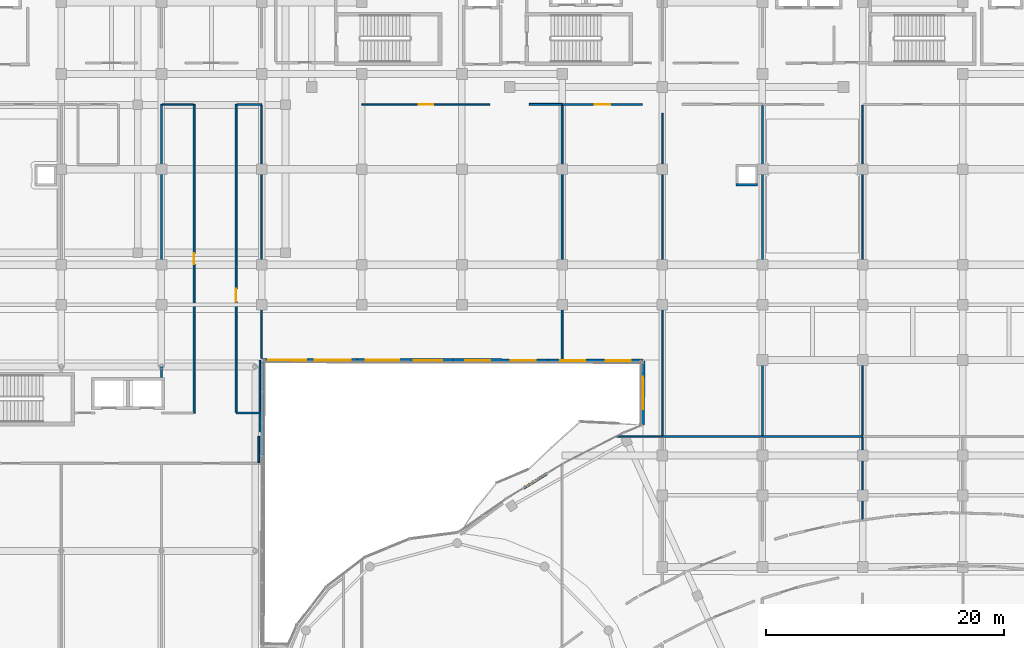
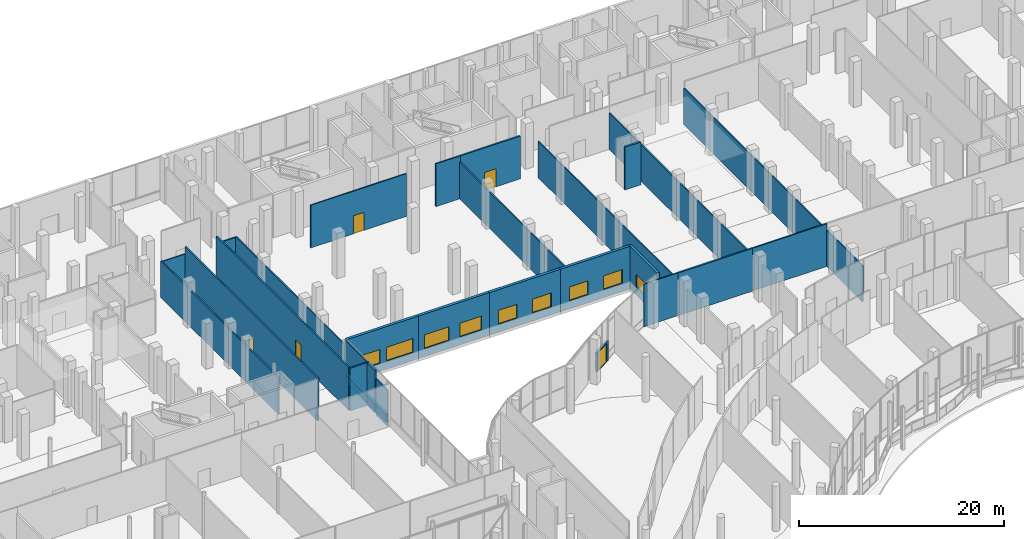
# One storey, part 140 of 158: 29 walls, 9 windows, 5 doors, 14 openings.
"""IFC4 building model written with IfcOpenShell, lengths in metres."""

import ifcopenshell
import ifcopenshell.guid

model = None  # the IFC model being written
_history = None  # IfcOwnerHistory: only IFC2X3 demands one
_inside = {}  # id of a spatial element -> (the spatial element, [elements in it])
_under = {}  # id of a project, library or spatial element -> (it, [spatial elements below it])
_declared = {}  # id of a project -> (the project, [libraries it declares])
_typed = {}  # id of a type object -> (the type object, [elements of that type])
_made_of = {}  # id of a material, layer set ... -> (it, [elements and type objects made of it])


def new_model(schema):
    """Start an empty IFC model of exactly this schema.

    Asked for "IFC4X3", IfcOpenShell would pick the latest addendum, in which some entities
    have other attributes; the version numbers below select the first issue.
    IFC2X3 requires an IfcOwnerHistory on every rooted entity: one is made here for all.
    """
    global model, _history
    if schema == "IFC4X3":
        model = ifcopenshell.file(schema_version=(4, 3, 0, 0))
    else:
        model = ifcopenshell.file(schema=schema)
    _inside.clear()
    _under.clear()
    _declared.clear()
    _typed.clear()
    _made_of.clear()
    _history = None
    if model.schema == "IFC2X3":
        org = make("IfcOrganization", Name="unknown")
        user = make(
            "IfcPersonAndOrganization",
            ThePerson=make("IfcPerson", FamilyName="unknown"),
            TheOrganization=org,
        )
        app = make(
            "IfcApplication",
            ApplicationDeveloper=org,
            Version="unknown",
            ApplicationFullName="unknown",
            ApplicationIdentifier="unknown",
        )
        _history = make(
            "IfcOwnerHistory",
            OwningUser=user,
            OwningApplication=app,
            ChangeAction="ADDED",
            CreationDate=0,
        )
    return model


def make(cls, **values):
    """One entity of the class cls with the attributes given. An attribute that is None is left unset."""
    return model.create_entity(
        cls, **{name: value for name, value in values.items() if value is not None}
    )


def rooted(cls, **values):
    """An entity with a GlobalId (a new one), such as an element, a storey or a relation."""
    return make(cls, GlobalId=ifcopenshell.guid.new(), OwnerHistory=_history, **values)


def si_unit(unit_type, name, prefix=None):
    """IfcSIUnit, for example si_unit("LENGTHUNIT", "METRE", prefix="MILLI")."""
    return make("IfcSIUnit", UnitType=unit_type, Prefix=prefix, Name=name)


def assignment(units):
    """IfcUnitAssignment: the units of a project."""
    return None if units is None else make("IfcUnitAssignment", Units=units)


def point(xyz):
    """IfcCartesianPoint."""
    return None if xyz is None else make("IfcCartesianPoint", Coordinates=xyz)


def direction(xyz):
    """IfcDirection."""
    return None if xyz is None else make("IfcDirection", DirectionRatios=xyz)


def frame(location, z_axis=None, x_axis=None):
    """IfcAxis2Placement3D, a coordinate frame: its origin and axes. An axis left out is left unset."""
    return make(
        "IfcAxis2Placement3D",
        Location=point(location),
        Axis=direction(z_axis),
        RefDirection=direction(x_axis),
    )


def frame_2d(location, x_axis=None):
    """IfcAxis2Placement2D, a coordinate frame in the plane: its origin and x axis."""
    return make(
        "IfcAxis2Placement2D", Location=point(location), RefDirection=direction(x_axis)
    )


def origin():
    """The frame at (0, 0, 0) with its axes left unset."""
    return frame((0.0, 0.0, 0.0))


def place(relative_to, where):
    """IfcLocalPlacement: puts the frame where relative to a parent placement (None: the world)."""
    return make(
        "IfcLocalPlacement", PlacementRelTo=relative_to, RelativePlacement=where
    )


def context(
    kind, dimensions, precision=None, world=None, true_north=None, identifier=None
):
    """IfcGeometricRepresentationContext, for example the 3D "Model" context."""
    return make(
        "IfcGeometricRepresentationContext",
        ContextIdentifier=identifier,
        ContextType=kind,
        CoordinateSpaceDimension=dimensions,
        Precision=precision,
        WorldCoordinateSystem=world,
        TrueNorth=true_north,
    )


def subcontext(parent, identifier, kind, view, scale=None):
    """IfcGeometricRepresentationSubContext, for example "Body" below "Model"."""
    return make(
        "IfcGeometricRepresentationSubContext",
        ContextIdentifier=identifier,
        ContextType=kind,
        ParentContext=parent,
        TargetScale=scale,
        TargetView=view,
    )


def project(units=None, contexts=None):
    """IfcProject with its units and contexts."""
    return rooted(
        "IfcProject",
        Name="project",
        RepresentationContexts=contexts,
        UnitsInContext=assignment(units),
    )


def spatial(cls, under=None, at=None, **own):
    """A site, building, storey or space (cls), placed at a placement, below another one or the project."""
    s = rooted(cls, ObjectPlacement=at, **own)
    if under is not None:
        _under.setdefault(under.id(), (under, []))[1].append(s)
    return s


def profile(cls, at=None, kind="AREA", **sizes):
    """A parametric profile (cls). Its sizes go by their IFC names, for example OverallWidth=200.0."""
    return make(cls, ProfileType=kind, Position=at, **sizes)


def rectangle(**sizes):
    """IfcRectangleProfileDef."""
    return profile("IfcRectangleProfileDef", **sizes)


def extrude(swept, where, along, depth):
    """IfcExtrudedAreaSolid: the profile swept, set in the frame where, extruded along a direction by depth."""
    return make(
        "IfcExtrudedAreaSolid",
        SweptArea=swept,
        Position=where,
        ExtrudedDirection=direction(along),
        Depth=depth,
    )


def shape(context_of_items, identifier, shape_type, items):
    """IfcShapeRepresentation: the items that make up one representation, for example the "Body"."""
    return make(
        "IfcShapeRepresentation",
        ContextOfItems=context_of_items,
        RepresentationIdentifier=identifier,
        RepresentationType=shape_type,
        Items=items,
    )


def material(Name=None, Category=None):
    """IfcMaterial."""
    return make("IfcMaterial", Name=Name, Category=Category)


def layer(
    of_material, thickness, ventilated=None, Name=None, Category=None, Priority=None
):
    """IfcMaterialLayer: one layer of a wall or slab, of a material (None: an air gap)."""
    return make(
        "IfcMaterialLayer",
        Material=of_material,
        LayerThickness=thickness,
        IsVentilated=ventilated,
        Name=Name,
        Category=Category,
        Priority=Priority,
    )


def layer_set(layers, Name=None):
    """IfcMaterialLayerSet."""
    return make("IfcMaterialLayerSet", MaterialLayers=layers, LayerSetName=Name)


def made_of(thing, what):
    """Note that an element or type object is made of a material, layer set ...; save() writes the relation."""
    if what is not None:
        _made_of.setdefault(what.id(), (what, []))[1].append(thing)
    return thing


def type_object(cls, material=None, **own):
    """A type object (cls), such as IfcWallType, which elements share."""
    return made_of(rooted(cls, **own), material)


def element(
    cls,
    number,
    at=None,
    inside=None,
    cuts=None,
    type_object=None,
    material=None,
    context=None,
    identifier="Body",
    shape_type=None,
    held_by="IfcProductDefinitionShape",
    body=None,
    shapes=None,
    **own,
):
    """One element of the class cls, such as IfcWall. Its Tag is "e" and its number.

    at: its placement. inside: the storey or other place that contains it. cuts: it is an
    opening in that element (IfcRelVoidsElement). A single representation is given by context,
    identifier, shape_type and body (its items); several are given by shapes. held_by: the class
    of the entity that holds the representations. save() writes the other relations.
    """
    e = rooted(cls, Tag="e%d" % number, ObjectPlacement=at, **own)
    if body is not None:
        shapes = [shape(context, identifier, shape_type, body)]
    if shapes is not None:
        e.Representation = make(held_by, Representations=shapes)
    if inside is not None:
        _inside.setdefault(inside.id(), (inside, []))[1].append(e)
    if cuts is not None:
        rooted(
            "IfcRelVoidsElement", RelatingBuildingElement=cuts, RelatedOpeningElement=e
        )
    if type_object is not None:
        _typed.setdefault(type_object.id(), (type_object, []))[1].append(e)
    return made_of(e, material)


def fill(opening, filler):
    """IfcRelFillsElement: the door or window that sits in an opening."""
    return rooted(
        "IfcRelFillsElement",
        RelatingOpeningElement=opening,
        RelatedBuildingElement=filler,
    )


def aggregate(whole, parts):
    """IfcRelAggregates: a whole, such as a stair, and the parts it consists of."""
    return rooted("IfcRelAggregates", RelatingObject=whole, RelatedObjects=parts)


def save(model, path):
    """Write the relations noted so far, then the file.

    IfcRelAggregates (storeys below a building ...), IfcRelContainedInSpatialStructure (elements
    in a storey), IfcRelDefinesByType, IfcRelAssociatesMaterial and IfcRelDeclares: one each for
    every whole, place, type object, material and project.
    """
    for whole, parts in _under.values():
        aggregate(whole, parts)
    for where, things in _inside.values():
        rooted(
            "IfcRelContainedInSpatialStructure",
            RelatedElements=things,
            RelatingStructure=where,
        )
    for kind, things in _typed.values():
        rooted("IfcRelDefinesByType", RelatedObjects=things, RelatingType=kind)
    for what, things in _made_of.values():
        rooted("IfcRelAssociatesMaterial", RelatedObjects=things, RelatingMaterial=what)
    for by, libraries in _declared.values():
        rooted("IfcRelDeclares", RelatingContext=by, RelatedDefinitions=libraries)
    model.write(path)


model = new_model("IFC4")

# Units and contexts
model_context = context("Model", 3, precision=1e-05, world=origin(), true_north=direction((0.0, 1.0)))
body_context = subcontext(model_context, "Body", "Model", "MODEL_VIEW")
ifc_project = project(units=[si_unit("LENGTHUNIT", "METRE"), si_unit("AREAUNIT", "SQUARE_METRE"), si_unit("VOLUMEUNIT", "CUBIC_METRE"), si_unit("PLANEANGLEUNIT", "RADIAN"), si_unit("MASSUNIT", "GRAM", prefix="KILO")], contexts=[model_context])

# Site, building, storey
site_placement = place(None, origin())
site = spatial("IfcSite", under=ifc_project, at=site_placement, CompositionType="ELEMENT")
building_placement = place(site_placement, origin())
building = spatial("IfcBuilding", under=site, at=building_placement, Name="Selatvlak General Hospital", CompositionType="ELEMENT")
storey_placement = place(building_placement, origin())
storey = spatial("IfcBuildingStorey", under=building, at=storey_placement, Name="L00", CompositionType="ELEMENT", Elevation=0.0)

# Wall, opening, window
ifc_material_1 = material(Name="Precast concrete C40/50 - white fair-faced", Category="concrete")
ifc_layer_1 = layer(ifc_material_1, 0.300048828125, Name="Precast concrete C40/50 - white fair-faced", Category="concrete")
ifc_layer_set_1 = layer_set([ifc_layer_1], Name="Precast concrete C40/50 - white fair-faced")
wall_type_1 = type_object("IfcWallType", Name="WALL-EW-01", PredefinedType="SOLIDWALL", material=ifc_layer_set_1)
wall_1_placement = place(storey_placement, frame((113.56298828125, 78.552001953125, 0.0), z_axis=(0.0, 0.0, 1.0), x_axis=(0.006887325881, 0.99997628209, 0.0)))
wall_1 = element("IfcWall", 1, at=wall_1_placement, inside=storey, type_object=wall_type_1, Name="L00 exterior wall 0190", PredefinedType="SOLIDWALL", context=body_context, shape_type="SweptSolid", body=[
    extrude(rectangle(XDim=5.38818359375, YDim=0.300048828125, at=frame_2d((2.694091796875, 0.0))), origin(), (0.0, 0.0, 1.0), 5.080078125),
])
opening_1_placement = place(wall_1_placement, frame((1.343994140625, 0.0, 0.9599609375)))
opening_1 = element("IfcOpeningElement", 2, at=opening_1_placement, cuts=wall_1, Name="Opening WN-08", PredefinedType="OPENING", context=body_context, shape_type="SweptSolid", body=[
    extrude(rectangle(XDim=2.699951171875, YDim=1.5, at=frame_2d((1.35009765625, 0.75))), frame((0.0, 0.159912109375, 0.0), z_axis=(0.0, -1.0, 0.0), x_axis=(1.0, 0.0, 0.0)), (0.0, 0.0, 1.0), 0.320068359375),
])
ifc_material_2 = material(Name="Thermally broken aluminium Low-E window", Category="aluminium")
window_type_1 = type_object("IfcWindowType", Name="WIN-WN-08", PartitioningType="SINGLE_PANEL", PredefinedType="WINDOW", material=ifc_material_2)
window_1_placement = place(opening_1_placement, origin())
window_1 = element("IfcWindow", 3, at=window_1_placement, inside=storey, type_object=window_type_1, Name="L00 clinical facade window 0007", OverallHeight=1.5, OverallWidth=2.699951171875, PartitioningType="SINGLE_PANEL", PredefinedType="WINDOW", context=body_context, shape_type="SweptSolid", body=[
    extrude(rectangle(XDim=2.699951171875, YDim=1.5, at=frame_2d((1.35009765625, 0.75))), frame((0.0, 0.030029296875, 0.0), z_axis=(0.0, -1.0, 0.0), x_axis=(1.0, 0.0, 0.0)), (0.0, 0.0, 1.0), 0.06005859375),
])
fill(opening_1, window_1)

# Wall, openings, windows
wall_2_placement = place(storey_placement, frame((113.60009765625, 83.93994140625, 0.0), z_axis=(0.0, 0.0, 1.0), x_axis=(-0.99999820332, 0.001895615269, 0.0)))
wall_2 = element("IfcWall", 4, at=wall_2_placement, inside=storey, type_object=wall_type_1, Name="L00 exterior wall 0191", PredefinedType="SOLIDWALL", context=body_context, shape_type="SweptSolid", body=[
    extrude(rectangle(XDim=7.985107421875, YDim=0.300048828125, at=frame_2d((3.99267578125, 0.0))), origin(), (0.0, 0.0, 1.0), 5.080078125),
])
opening_2_placement = place(wall_2_placement, frame((1.02587890625, 0.0, 0.9599609375)))
opening_2 = element("IfcOpeningElement", 5, at=opening_2_placement, cuts=wall_2, Name="Opening WN-12", PredefinedType="OPENING", context=body_context, shape_type="SweptSolid", body=[
    extrude(rectangle(XDim=2.10009765625, YDim=1.64990234375, at=frame_2d((1.050048828125, 0.824951171875))), frame((0.0, 0.159912109375, 0.0), z_axis=(0.0, -1.0, 0.0), x_axis=(1.0, 0.0, 0.0)), (0.0, 0.0, 1.0), 0.320068359375),
])
opening_3_placement = place(wall_2_placement, frame((4.85888671875, 0.0, 0.9599609375)))
opening_3 = element("IfcOpeningElement", 6, at=opening_3_placement, cuts=wall_2, Name="Opening WN-12", PredefinedType="OPENING", context=body_context, shape_type="SweptSolid", body=[
    extrude(rectangle(XDim=2.10009765625, YDim=1.64990234375, at=frame_2d((1.050048828125, 0.824951171875))), frame((0.0, 0.159912109375, 0.0), z_axis=(0.0, -1.0, 0.0), x_axis=(1.0, 0.0, 0.0)), (0.0, 0.0, 1.0), 0.320068359375),
])
window_type_2 = type_object("IfcWindowType", Name="WIN-WN-12", PartitioningType="SINGLE_PANEL", PredefinedType="WINDOW", material=ifc_material_2)
window_2_placement = place(opening_2_placement, origin())
window_2 = element("IfcWindow", 7, at=window_2_placement, inside=storey, type_object=window_type_2, Name="L00 Bauhaus ribbon window 0008", OverallHeight=1.64990234375, OverallWidth=2.10009765625, PartitioningType="SINGLE_PANEL", PredefinedType="WINDOW", context=body_context, shape_type="SweptSolid", body=[
    extrude(rectangle(XDim=2.10009765625, YDim=1.64990234375, at=frame_2d((1.050048828125, 0.824951171875))), frame((0.0, 0.030029296875, 0.0), z_axis=(0.0, -1.0, 0.0), x_axis=(1.0, 0.0, 0.0)), (0.0, 0.0, 1.0), 0.06005859375),
])
fill(opening_2, window_2)
window_3_placement = place(opening_3_placement, origin())
window_3 = element("IfcWindow", 8, at=window_3_placement, inside=storey, type_object=window_type_2, Name="L00 Bauhaus ribbon window 0009", OverallHeight=1.64990234375, OverallWidth=2.10009765625, PartitioningType="SINGLE_PANEL", PredefinedType="WINDOW", context=body_context, shape_type="SweptSolid", body=[
    extrude(rectangle(XDim=2.10009765625, YDim=1.64990234375, at=frame_2d((1.050048828125, 0.824951171875))), frame((0.0, 0.030029296875, 0.0), z_axis=(0.0, -1.0, 0.0), x_axis=(1.0, 0.0, 0.0)), (0.0, 0.0, 1.0), 0.06005859375),
])
fill(opening_3, window_3)

wall_3_placement = place(storey_placement, frame((105.614990234375, 83.955078125, 0.0), z_axis=(0.0, 0.0, 1.0), x_axis=(-0.99999826081, 0.001865040936, 0.0)))
wall_3 = element("IfcWall", 9, at=wall_3_placement, inside=storey, type_object=wall_type_1, Name="L00 exterior wall 0192", PredefinedType="SOLIDWALL", context=body_context, shape_type="SweptSolid", body=[
    extrude(rectangle(XDim=7.985107421875, YDim=0.300048828125, at=frame_2d((3.99267578125, 0.0))), origin(), (0.0, 0.0, 1.0), 5.080078125),
])
opening_4_placement = place(wall_3_placement, frame((1.02587890625, 0.0, 0.9599609375)))
opening_4 = element("IfcOpeningElement", 10, at=opening_4_placement, cuts=wall_3, Name="Opening WN-12", PredefinedType="OPENING", context=body_context, shape_type="SweptSolid", body=[
    extrude(rectangle(XDim=2.10009765625, YDim=1.64990234375, at=frame_2d((1.050048828125, 0.824951171875))), frame((0.0, 0.159912109375, 0.0), z_axis=(0.0, -1.0, 0.0), x_axis=(1.0, 0.0, 0.0)), (0.0, 0.0, 1.0), 0.320068359375),
])
opening_5_placement = place(wall_3_placement, frame((4.85888671875, 0.0, 0.9599609375)))
opening_5 = element("IfcOpeningElement", 11, at=opening_5_placement, cuts=wall_3, Name="Opening WN-12", PredefinedType="OPENING", context=body_context, shape_type="SweptSolid", body=[
    extrude(rectangle(XDim=2.10009765625, YDim=1.64990234375, at=frame_2d((1.050048828125, 0.824951171875))), frame((0.0, 0.159912109375, 0.0), z_axis=(0.0, -1.0, 0.0), x_axis=(1.0, 0.0, 0.0)), (0.0, 0.0, 1.0), 0.320068359375),
])
window_4_placement = place(opening_4_placement, origin())
window_4 = element("IfcWindow", 12, at=window_4_placement, inside=storey, type_object=window_type_2, Name="L00 Bauhaus ribbon window 0010", OverallHeight=1.64990234375, OverallWidth=2.10009765625, PartitioningType="SINGLE_PANEL", PredefinedType="WINDOW", context=body_context, shape_type="SweptSolid", body=[
    extrude(rectangle(XDim=2.10009765625, YDim=1.64990234375, at=frame_2d((1.050048828125, 0.824951171875))), frame((0.0, 0.030029296875, 0.0), z_axis=(0.0, -1.0, 0.0), x_axis=(1.0, 0.0, 0.0)), (0.0, 0.0, 1.0), 0.06005859375),
])
fill(opening_4, window_4)
window_5_placement = place(opening_5_placement, origin())
window_5 = element("IfcWindow", 13, at=window_5_placement, inside=storey, type_object=window_type_2, Name="L00 Bauhaus ribbon window 0011", OverallHeight=1.64990234375, OverallWidth=2.10009765625, PartitioningType="SINGLE_PANEL", PredefinedType="WINDOW", context=body_context, shape_type="SweptSolid", body=[
    extrude(rectangle(XDim=2.10009765625, YDim=1.64990234375, at=frame_2d((1.050048828125, 0.824951171875))), frame((0.0, 0.030029296875, 0.0), z_axis=(0.0, -1.0, 0.0), x_axis=(1.0, 0.0, 0.0)), (0.0, 0.0, 1.0), 0.06005859375),
])
fill(opening_5, window_5)

wall_4_placement = place(storey_placement, frame((97.6298828125, 83.969970703125, 0.0), z_axis=(0.0, 0.0, 1.0), x_axis=(-0.99999820321, 0.001895673228, 0.0)))
wall_4 = element("IfcWall", 14, at=wall_4_placement, inside=storey, type_object=wall_type_1, Name="L00 exterior wall 0193", PredefinedType="SOLIDWALL", context=body_context, shape_type="SweptSolid", body=[
    extrude(rectangle(XDim=7.98486328125, YDim=0.300048828125, at=frame_2d((3.992431640625, 0.0))), origin(), (0.0, 0.0, 1.0), 5.080078125),
])
opening_6_placement = place(wall_4_placement, frame((0.8759765625, 0.0, 0.9599609375)))
opening_6 = element("IfcOpeningElement", 15, at=opening_6_placement, cuts=wall_4, Name="Opening WN-13", PredefinedType="OPENING", context=body_context, shape_type="SweptSolid", body=[
    extrude(rectangle(XDim=2.39990234375, YDim=1.64990234375, at=frame_2d((1.199951171875, 0.824951171875))), frame((0.0, 0.159912109375, 0.0), z_axis=(0.0, -1.0, 0.0), x_axis=(1.0, 0.0, 0.0)), (0.0, 0.0, 1.0), 0.320068359375),
])
opening_7_placement = place(wall_4_placement, frame((4.509033203125, 0.0, 0.9599609375)))
opening_7 = element("IfcOpeningElement", 16, at=opening_7_placement, cuts=wall_4, Name="Opening WN-14", PredefinedType="OPENING", context=body_context, shape_type="SweptSolid", body=[
    extrude(rectangle(XDim=2.800048828125, YDim=1.64990234375, at=frame_2d((1.39990234375, 0.824951171875))), frame((0.0, 0.159912109375, 0.0), z_axis=(0.0, -1.0, 0.0), x_axis=(1.0, 0.0, 0.0)), (0.0, 0.0, 1.0), 0.320068359375),
])
window_type_3 = type_object("IfcWindowType", Name="WIN-WN-13", PartitioningType="SINGLE_PANEL", PredefinedType="WINDOW", material=ifc_material_2)
window_6_placement = place(opening_6_placement, origin())
window_6 = element("IfcWindow", 17, at=window_6_placement, inside=storey, type_object=window_type_3, Name="L00 Bauhaus ribbon window 0012", OverallHeight=1.64990234375, OverallWidth=2.39990234375, PartitioningType="SINGLE_PANEL", PredefinedType="WINDOW", context=body_context, shape_type="SweptSolid", body=[
    extrude(rectangle(XDim=2.39990234375, YDim=1.64990234375, at=frame_2d((1.199951171875, 0.824951171875))), frame((0.0, 0.030029296875, 0.0), z_axis=(0.0, -1.0, 0.0), x_axis=(1.0, 0.0, 0.0)), (0.0, 0.0, 1.0), 0.06005859375),
])
fill(opening_6, window_6)
window_type_4 = type_object("IfcWindowType", Name="WIN-WN-14", PartitioningType="SINGLE_PANEL", PredefinedType="WINDOW", material=ifc_material_2)
window_7_placement = place(opening_7_placement, origin())
window_7 = element("IfcWindow", 18, at=window_7_placement, inside=storey, type_object=window_type_4, Name="L00 Bauhaus ribbon window 0013", OverallHeight=1.64990234375, OverallWidth=2.800048828125, PartitioningType="SINGLE_PANEL", PredefinedType="WINDOW", context=body_context, shape_type="SweptSolid", body=[
    extrude(rectangle(XDim=2.800048828125, YDim=1.64990234375, at=frame_2d((1.39990234375, 0.824951171875))), frame((0.0, 0.030029296875, 0.0), z_axis=(0.0, -1.0, 0.0), x_axis=(1.0, 0.0, 0.0)), (0.0, 0.0, 1.0), 0.06005859375),
])
fill(opening_7, window_7)

wall_5_placement = place(storey_placement, frame((89.64501953125, 83.985107421875, 0.0), z_axis=(0.0, 0.0, 1.0), x_axis=(-0.99999826081, 0.001865040936, 0.0)))
wall_5 = element("IfcWall", 19, at=wall_5_placement, inside=storey, type_object=wall_type_1, Name="L00 exterior wall 0194", PredefinedType="SOLIDWALL", context=body_context, shape_type="SweptSolid", body=[
    extrude(rectangle(XDim=7.985107421875, YDim=0.300048828125, at=frame_2d((3.99267578125, 0.0))), origin(), (0.0, 0.0, 1.0), 5.080078125),
])
opening_8_placement = place(wall_5_placement, frame((0.575927734375, 0.0, 0.9599609375)))
opening_8 = element("IfcOpeningElement", 20, at=opening_8_placement, cuts=wall_5, Name="Opening WN-15", PredefinedType="OPENING", context=body_context, shape_type="SweptSolid", body=[
    extrude(rectangle(XDim=3.0, YDim=1.64990234375, at=frame_2d((1.5, 0.824951171875))), frame((0.0, 0.159912109375, 0.0), z_axis=(0.0, -1.0, 0.0), x_axis=(1.0, 0.0, 0.0)), (0.0, 0.0, 1.0), 0.320068359375),
])
opening_9_placement = place(wall_5_placement, frame((4.30908203125, 0.0, 0.9599609375)))
opening_9 = element("IfcOpeningElement", 21, at=opening_9_placement, cuts=wall_5, Name="Opening WN-16", PredefinedType="OPENING", context=body_context, shape_type="SweptSolid", body=[
    extrude(rectangle(XDim=3.199951171875, YDim=1.64990234375, at=frame_2d((1.60009765625, 0.824951171875))), frame((0.0, 0.159912109375, 0.0), z_axis=(0.0, -1.0, 0.0), x_axis=(1.0, 0.0, 0.0)), (0.0, 0.0, 1.0), 0.320068359375),
])
window_type_5 = type_object("IfcWindowType", Name="WIN-WN-15", PartitioningType="SINGLE_PANEL", PredefinedType="WINDOW", material=ifc_material_2)
window_8_placement = place(opening_8_placement, origin())
window_8 = element("IfcWindow", 22, at=window_8_placement, inside=storey, type_object=window_type_5, Name="L00 Bauhaus ribbon window 0014", OverallHeight=1.64990234375, OverallWidth=3.0, PartitioningType="SINGLE_PANEL", PredefinedType="WINDOW", context=body_context, shape_type="SweptSolid", body=[
    extrude(rectangle(XDim=3.0, YDim=1.64990234375, at=frame_2d((1.5, 0.824951171875))), frame((0.0, 0.030029296875, 0.0), z_axis=(0.0, -1.0, 0.0), x_axis=(1.0, 0.0, 0.0)), (0.0, 0.0, 1.0), 0.06005859375),
])
fill(opening_8, window_8)
window_type_6 = type_object("IfcWindowType", Name="WIN-WN-16", PartitioningType="SINGLE_PANEL", PredefinedType="WINDOW", material=ifc_material_2)
window_9_placement = place(opening_9_placement, origin())
window_9 = element("IfcWindow", 23, at=window_9_placement, inside=storey, type_object=window_type_6, Name="L00 Bauhaus ribbon window 0015", OverallHeight=1.64990234375, OverallWidth=3.199951171875, PartitioningType="SINGLE_PANEL", PredefinedType="WINDOW", context=body_context, shape_type="SweptSolid", body=[
    extrude(rectangle(XDim=3.199951171875, YDim=1.64990234375, at=frame_2d((1.60009765625, 0.824951171875))), frame((0.0, 0.030029296875, 0.0), z_axis=(0.0, -1.0, 0.0), x_axis=(1.0, 0.0, 0.0)), (0.0, 0.0, 1.0), 0.06005859375),
])
fill(opening_9, window_9)

# Wall
ifc_material_3 = material(Name="Precast concrete C40/50 - white Bauhaus spandrel", Category="concrete")
ifc_layer_2 = layer(ifc_material_3, 0.280029296875, Name="Precast concrete C40/50 - white Bauhaus spandrel", Category="concrete")
ifc_layer_set_2 = layer_set([ifc_layer_2], Name="Precast concrete C40/50 - white Bauhaus spandrel")
wall_type_2 = type_object("IfcWallType", Name="WALL-EW-02", PredefinedType="SOLIDWALL", material=ifc_layer_set_2)
wall_6_placement = place(storey_placement, frame((81.659912109375, 83.860107421875, 0.0), z_axis=(0.0, 0.0, 1.0), x_axis=(-0.002554110965, -0.999996738253, 0.0)))
element("IfcWall", 24, at=wall_6_placement, inside=storey, type_object=wall_type_2, Name="L00 Bauhaus spandrel sill wall 0195", PredefinedType="SOLIDWALL", context=body_context, shape_type="SweptSolid", body=[
    extrude(rectangle(XDim=7.838134765625, YDim=0.280029296875, at=frame_2d((3.9189453125, 0.0))), origin(), (0.0, 0.0, 1.0), 0.93994140625),
])

# Wall, opening, door
ifc_layer_3 = layer(ifc_material_1, 0.239990234375, Name="Precast concrete C40/50 - white fair-faced", Category="concrete")
ifc_layer_set_3 = layer_set([ifc_layer_3], Name="Precast concrete C40/50 - white fair-faced")
wall_type_3 = type_object("IfcWallType", Name="WALL-EW-04", PredefinedType="SOLIDWALL", material=ifc_layer_set_3)
wall_7_placement = place(storey_placement, frame((103.555908203125, 73.258056640625, 0.0), z_axis=(0.0, 0.0, 1.0), x_axis=(0.85044606758, 0.526062245498, 0.0)))
wall_7 = element("IfcWall", 25, at=wall_7_placement, inside=storey, type_object=wall_type_3, Name="L00 S-curve glazed balcony door frame 0189", PredefinedType="SOLIDWALL", context=body_context, shape_type="SweptSolid", body=[
    extrude(rectangle(XDim=2.300048828125, YDim=0.239990234375, at=frame_2d((1.14990234375, 0.0))), origin(), (0.0, 0.0, 1.0), 2.320068359375),
])
opening_10_placement = place(wall_7_placement, frame((0.35009765625, 0.0, 0.0)))
opening_10 = element("IfcOpeningElement", 26, at=opening_10_placement, cuts=wall_7, Name="Opening DE-05", PredefinedType="OPENING", context=body_context, shape_type="SweptSolid", body=[
    extrude(rectangle(XDim=1.60009765625, YDim=2.199951171875, at=frame_2d((0.800048828125, 1.10009765625))), frame((0.0, 0.1298828125, 0.0), z_axis=(0.0, -1.0, 0.0), x_axis=(1.0, 0.0, 0.0)), (0.0, 0.0, 1.0), 0.260009765625),
])
ifc_material_4 = material(Name="Anodised aluminium balcony double door", Category="aluminium")
door_type_1 = type_object("IfcDoorType", Name="DOOR-DE-05", OperationType="DOUBLE_DOOR_SINGLE_SWING", PredefinedType="DOOR", material=ifc_material_4)
door_1_placement = place(opening_10_placement, origin())
door_1 = element("IfcDoor", 27, at=door_1_placement, inside=storey, type_object=door_type_1, Name="L00 clinic balcony double door 20", OperationType="DOUBLE_DOOR_SINGLE_SWING", OverallHeight=2.199951171875, OverallWidth=1.60009765625, PredefinedType="DOOR", context=body_context, shape_type="SweptSolid", body=[
    extrude(rectangle(XDim=1.60009765625, YDim=2.199951171875, at=frame_2d((0.800048828125, 1.10009765625))), frame((0.0, 0.02490234375, 0.0), z_axis=(0.0, -1.0, 0.0), x_axis=(1.0, 0.0, 0.0)), (0.0, 0.0, 1.0), 0.050048828125),
])
fill(opening_10, door_1)

# Walls
ifc_material_5 = material(Name="Concrete C40/50", Category="concrete")
ifc_layer_4 = layer(ifc_material_5, 0.199951171875, Name="Concrete C40/50", Category="concrete")
ifc_layer_set_4 = layer_set([ifc_layer_4], Name="Concrete C40/50")
wall_type_4 = type_object("IfcWallType", Name="WALL-IW-02", PredefinedType="SOLIDWALL", material=ifc_layer_set_4)
wall_8_placement = place(storey_placement, frame((121.39990234375, 98.699951171875, 0.0), z_axis=(0.0, 0.0, 1.0), x_axis=(1.0, 0.0, 0.0)))
element("IfcWall", 28, at=wall_8_placement, inside=storey, type_object=wall_type_4, Name="Service riser 2 shaft wall L00 S", PredefinedType="SOLIDWALL", context=body_context, shape_type="SweptSolid", body=[
    extrude(rectangle(XDim=1.800048828125, YDim=0.199951171875, at=frame_2d((0.89990234375, 0.0))), origin(), (0.0, 0.0, 1.0), 5.080078125),
])
ifc_material_6 = material(Name="Acoustic gypsum stud partition")
ifc_layer_5 = layer(ifc_material_6, 0.179931640625, Name="Acoustic gypsum stud partition")
ifc_layer_set_5 = layer_set([ifc_layer_5], Name="Acoustic gypsum stud partition")
wall_type_5 = type_object("IfcWallType", Name="WALL-PT-01", PredefinedType="PARTITIONING", material=ifc_layer_set_5)
wall_9_placement = place(storey_placement, frame((115.199951171875, 77.60009765625, 0.0), z_axis=(0.0, 0.0, 1.0), x_axis=(1.0, 0.0, 0.0)))
element("IfcWall", 29, at=wall_9_placement, inside=storey, type_object=wall_type_5, Name="L00 clinical partition PT-L00-0549", PredefinedType="PARTITIONING", context=body_context, shape_type="SweptSolid", body=[
    extrude(rectangle(XDim=8.400146484375, YDim=0.179931640625, at=frame_2d((4.2001953125, 0.0))), origin(), (0.0, 0.0, 1.0), 5.080078125),
])
wall_10_placement = place(storey_placement, frame((81.60693359375, 79.56005859375, 0.0), z_axis=(0.0, 0.0, 1.0), x_axis=(-1.0, 0.0, 0.0)))
element("IfcWall", 30, at=wall_10_placement, inside=storey, type_object=wall_type_5, Name="L00 clinical partition PT-L00-0635", PredefinedType="PARTITIONING", context=body_context, shape_type="SweptSolid", body=[
    extrude(rectangle(XDim=2.14697265625, YDim=0.179931640625, at=frame_2d((1.073486328125, 0.0))), origin(), (0.0, 0.0, 1.0), 5.080078125),
])
wall_11_placement = place(storey_placement, frame((81.4599609375, 79.47412109375, 0.0), z_axis=(0.0, 0.0, 1.0), x_axis=(0.0, -1.0, 0.0)))
element("IfcWall", 31, at=wall_11_placement, inside=storey, type_object=wall_type_5, Name="L00 clinical partition PT-L00-0640", PredefinedType="PARTITIONING", context=body_context, shape_type="SweptSolid", body=[
    extrude(rectangle(XDim=1.4921875, YDim=0.179931640625, at=frame_2d((0.74609375, 0.0))), origin(), (0.0, 0.0, 1.0), 5.080078125),
])

# Wall, opening, door
wall_12_placement = place(storey_placement, frame((106.800048828125, 105.43994140625, 0.0), z_axis=(0.0, 0.0, 1.0), x_axis=(1.0, 0.0, 0.0)))
wall_12 = element("IfcWall", 32, at=wall_12_placement, inside=storey, type_object=wall_type_5, Name="L00 clinical partition PT-L00-0650", PredefinedType="PARTITIONING", context=body_context, shape_type="SweptSolid", body=[
    extrude(rectangle(XDim=6.743896484375, YDim=0.179931640625, at=frame_2d((3.3720703125, 0.0))), origin(), (0.0, 0.0, 1.0), 5.080078125),
])
opening_11_placement = place(wall_12_placement, frame((2.721923828125, 0.0, 0.0)))
opening_11 = element("IfcOpeningElement", 33, at=opening_11_placement, cuts=wall_12, Name="Opening D-09", PredefinedType="OPENING", context=body_context, shape_type="SweptSolid", body=[
    extrude(rectangle(XDim=1.300048828125, YDim=2.14990234375, at=frame_2d((0.64990234375, 1.074951171875))), frame((0.0, 0.099853515625, 0.0), z_axis=(0.0, -1.0, 0.0), x_axis=(1.0, 0.0, 0.0)), (0.0, 0.0, 1.0), 0.199951171875),
])
ifc_material_7 = material(Name="Outpatient procedure door")
door_type_2 = type_object("IfcDoorType", Name="DOOR-D-09", OperationType="NOTDEFINED", PredefinedType="DOOR", material=ifc_material_7)
door_2_placement = place(opening_11_placement, origin())
door_2 = element("IfcDoor", 34, at=door_2_placement, inside=storey, type_object=door_type_2, Name="L00 Diagnostic Ultrasound Room 53 door", OperationType="SINGLE_SWING_RIGHT", OverallHeight=2.14990234375, OverallWidth=1.300048828125, PredefinedType="DOOR", context=body_context, shape_type="SweptSolid", body=[
    extrude(rectangle(XDim=1.300048828125, YDim=2.14990234375, at=frame_2d((0.64990234375, 1.074951171875))), frame((0.0, 0.02490234375, 0.0), z_axis=(0.0, -1.0, 0.0), x_axis=(1.0, 0.0, 0.0)), (0.0, 0.0, 1.0), 0.050048828125),
])
fill(opening_11, door_2)

ifc_layer_6 = layer(ifc_material_6, 0.1650390625, Name="Acoustic gypsum stud partition")
ifc_layer_set_6 = layer_set([ifc_layer_6], Name="Acoustic gypsum stud partition")
wall_type_6 = type_object("IfcWallType", Name="WALL-PT-02", PredefinedType="PARTITIONING", material=ifc_layer_set_6)
wall_13_placement = place(storey_placement, frame((79.4599609375, 79.64599609375, 0.0), z_axis=(0.0, 0.0, 1.0), x_axis=(0.0, 1.0, 0.0)))
wall_13 = element("IfcWall", 35, at=wall_13_placement, inside=storey, type_object=wall_type_6, Name="L00 clinical partition PT-L00-0636", PredefinedType="PARTITIONING", context=body_context, shape_type="SweptSolid", body=[
    extrude(rectangle(XDim=25.7939453125, YDim=0.1650390625, at=frame_2d((12.89697265625, 0.0))), origin(), (0.0, 0.0, 1.0), 5.080078125),
])
opening_12_placement = place(wall_13_placement, frame((9.251953125, 0.0, 0.0)))
opening_12 = element("IfcOpeningElement", 36, at=opening_12_placement, cuts=wall_13, Name="Opening D-22", PredefinedType="OPENING", context=body_context, shape_type="SweptSolid", body=[
    extrude(rectangle(XDim=1.10009765625, YDim=2.14990234375, at=frame_2d((0.550048828125, 1.074951171875))), frame((0.0, 0.092529296875, 0.0), z_axis=(0.0, -1.0, 0.0), x_axis=(1.0, 0.0, 0.0)), (0.0, 0.0, 1.0), 0.18505859375),
])
ifc_material_8 = material(Name="Pharmacy security fire door")
door_type_3 = type_object("IfcDoorType", Name="DOOR-D-22", OperationType="NOTDEFINED", PredefinedType="DOOR", material=ifc_material_8)
door_3_placement = place(opening_12_placement, origin())
door_3 = element("IfcDoor", 37, at=door_3_placement, inside=storey, type_object=door_type_3, Name="L00 Hospital Outpatient Pharmacy 49 door", OperationType="SINGLE_SWING_LEFT", OverallHeight=2.14990234375, OverallWidth=1.10009765625, PredefinedType="DOOR", context=body_context, shape_type="SweptSolid", body=[
    extrude(rectangle(XDim=1.10009765625, YDim=2.14990234375, at=frame_2d((0.550048828125, 1.074951171875))), frame((0.0, 0.02490234375, 0.0), z_axis=(0.0, -1.0, 0.0), x_axis=(1.0, 0.0, 0.0)), (0.0, 0.0, 1.0), 0.050048828125),
])
fill(opening_12, door_3)

wall_14_placement = place(storey_placement, frame((75.93994140625, 105.43994140625, 0.0), z_axis=(0.0, 0.0, 1.0), x_axis=(0.0, -1.0, 0.0)))
wall_14 = element("IfcWall", 38, at=wall_14_placement, inside=storey, type_object=wall_type_6, Name="L00 clinical partition PT-L00-0641", PredefinedType="PARTITIONING", context=body_context, shape_type="SweptSolid", body=[
    extrude(rectangle(XDim=25.8798828125, YDim=0.1650390625, at=frame_2d((12.93994140625, 0.0))), origin(), (0.0, 0.0, 1.0), 5.080078125),
])
opening_13_placement = place(wall_14_placement, frame((12.465087890625, 0.0, 0.0)))
opening_13 = element("IfcOpeningElement", 39, at=opening_13_placement, cuts=wall_14, Name="Opening D-02", PredefinedType="OPENING", context=body_context, shape_type="SweptSolid", body=[
    extrude(rectangle(XDim=0.949951171875, YDim=2.10009765625, at=frame_2d((0.47509765625, 1.050048828125))), frame((0.0, 0.092529296875, 0.0), z_axis=(0.0, -1.0, 0.0), x_axis=(1.0, 0.0, 0.0)), (0.0, 0.0, 1.0), 0.18505859375),
])
ifc_material_9 = material(Name="Moisture-resistant en-suite door")
door_type_4 = type_object("IfcDoorType", Name="DOOR-D-02", OperationType="NOTDEFINED", PredefinedType="DOOR", material=ifc_material_9)
door_4_placement = place(opening_13_placement, origin())
door_4 = element("IfcDoor", 40, at=door_4_placement, inside=storey, type_object=door_type_4, Name="L00 Public Dining Cafeteria 50 door", OperationType="SINGLE_SWING_RIGHT", OverallHeight=2.10009765625, OverallWidth=0.949951171875, PredefinedType="DOOR", context=body_context, shape_type="SweptSolid", body=[
    extrude(rectangle(XDim=0.949951171875, YDim=2.10009765625, at=frame_2d((0.47509765625, 1.050048828125))), frame((0.0, 0.02490234375, 0.0), z_axis=(0.0, -1.0, 0.0), x_axis=(1.0, 0.0, 0.0)), (0.0, 0.0, 1.0), 0.050048828125),
])
fill(opening_13, door_4)

# Walls
wall_15_placement = place(storey_placement, frame((104.055908203125, 105.43994140625, 0.0), z_axis=(0.0, 0.0, 1.0), x_axis=(1.0, 0.0, 0.0)))
element("IfcWall", 41, at=wall_15_placement, inside=storey, type_object=wall_type_6, Name="L00 clinical partition PT-L00-0646", PredefinedType="PARTITIONING", context=body_context, shape_type="SweptSolid", body=[
    extrude(rectangle(XDim=2.744140625, YDim=0.1650390625, at=frame_2d((1.3720703125, 0.0))), origin(), (0.0, 0.0, 1.0), 5.080078125),
])
ifc_layer_7 = layer(ifc_material_6, 0.14990234375, Name="Acoustic gypsum stud partition")
ifc_layer_set_7 = layer_set([ifc_layer_7], Name="Acoustic gypsum stud partition")
wall_type_7 = type_object("IfcWallType", Name="WALL-PT-03", PredefinedType="PARTITIONING", material=ifc_layer_set_7)
wall_16_placement = place(storey_placement, frame((123.60009765625, 77.60009765625, 0.0), z_axis=(0.0, 0.0, 1.0), x_axis=(1.0, 0.0, 0.0)))
element("IfcWall", 42, at=wall_16_placement, inside=storey, type_object=wall_type_7, Name="L00 clinical partition PT-L00-0557", PredefinedType="PARTITIONING", context=body_context, shape_type="SweptSolid", body=[
    extrude(rectangle(XDim=8.39990234375, YDim=0.14990234375, at=frame_2d((4.199951171875, 0.0))), origin(), (0.0, 0.0, 1.0), 5.080078125),
])
wall_17_placement = place(storey_placement, frame((73.199951171875, 105.43994140625, 0.0), z_axis=(0.0, 0.0, 1.0), x_axis=(0.0, -1.0, 0.0)))
element("IfcWall", 43, at=wall_17_placement, inside=storey, type_object=wall_type_7, Name="L00 clinical partition PT-L00-0632", PredefinedType="PARTITIONING", context=body_context, shape_type="SweptSolid", body=[
    extrude(rectangle(XDim=22.892822265625, YDim=0.14990234375, at=frame_2d((11.4462890625, 0.0))), origin(), (0.0, 0.0, 1.0), 4.330078125),
])
wall_18_placement = place(storey_placement, frame((79.5380859375, 105.43994140625, 0.0), z_axis=(0.0, 0.0, 1.0), x_axis=(1.0, 0.0, 0.0)))
element("IfcWall", 44, at=wall_18_placement, inside=storey, type_object=wall_type_7, Name="L00 clinical partition PT-L00-0637", PredefinedType="PARTITIONING", context=body_context, shape_type="SweptSolid", body=[
    extrude(rectangle(XDim=2.06201171875, YDim=0.14990234375, at=frame_2d((1.031005859375, 0.0))), origin(), (0.0, 0.0, 1.0), 4.22998046875),
])
wall_19_placement = place(storey_placement, frame((106.800048828125, 105.361083984375, 0.0), z_axis=(0.0, 0.0, 1.0), x_axis=(0.0, -1.0, 0.0)))
element("IfcWall", 45, at=wall_19_placement, inside=storey, type_object=wall_type_7, Name="L00 clinical partition PT-L00-0647", PredefinedType="PARTITIONING", context=body_context, shape_type="SweptSolid", body=[
    extrude(rectangle(XDim=21.260986328125, YDim=0.14990234375, at=frame_2d((10.63037109375, 0.0))), origin(), (0.0, 0.0, 1.0), 4.330078125),
])
wall_20_placement = place(storey_placement, frame((123.60009765625, 105.361083984375, 0.0), z_axis=(0.0, 0.0, 1.0), x_axis=(0.0, -1.0, 0.0)))
element("IfcWall", 46, at=wall_20_placement, inside=storey, type_object=wall_type_7, Name="L00 clinical partition PT-L00-0652", PredefinedType="PARTITIONING", context=body_context, shape_type="SweptSolid", body=[
    extrude(rectangle(XDim=27.675048828125, YDim=0.14990234375, at=frame_2d((13.83740234375, 0.0))), origin(), (0.0, 0.0, 1.0), 4.330078125),
])
ifc_material_10 = material(Name="Moisture-resistant clinical partition")
ifc_layer_8 = layer(ifc_material_10, 0.135009765625, Name="Moisture-resistant clinical partition")
ifc_layer_set_8 = layer_set([ifc_layer_8], Name="Moisture-resistant clinical partition")
wall_type_8 = type_object("IfcWallType", Name="WALL-PT-04", PredefinedType="PARTITIONING", material=ifc_layer_set_8)
wall_21_placement = place(storey_placement, frame((81.360107421875, 75.410888671875, 0.0), z_axis=(0.0, 0.0, 1.0), x_axis=(0.0, 1.0, 0.0)))
element("IfcWall", 47, at=wall_21_placement, inside=storey, type_object=wall_type_8, Name="L00 clinical partition PT-L00-0493", PredefinedType="PARTITIONING", context=body_context, shape_type="SweptSolid", body=[
    extrude(rectangle(XDim=2.189208984375, YDim=0.135009765625, at=frame_2d((1.0947265625, 0.0))), origin(), (0.0, 0.0, 1.0), 4.330078125),
])
wall_22_placement = place(storey_placement, frame((132.0, 77.529052734375, 0.0), z_axis=(0.0, 0.0, 1.0), x_axis=(0.0, -1.0, 0.0)))
element("IfcWall", 48, at=wall_22_placement, inside=storey, type_object=wall_type_8, Name="L00 clinical partition PT-L00-0558", PredefinedType="PARTITIONING", context=body_context, shape_type="SweptSolid", body=[
    extrude(rectangle(XDim=6.951171875, YDim=0.135009765625, at=frame_2d((3.4755859375, 0.0))), origin(), (0.0, 0.0, 1.0), 4.330078125),
])
wall_23_placement = place(storey_placement, frame((81.60009765625, 105.368896484375, 0.0), z_axis=(0.0, 0.0, 1.0), x_axis=(0.0, -1.0, 0.0)))
element("IfcWall", 49, at=wall_23_placement, inside=storey, type_object=wall_type_8, Name="L00 clinical partition PT-L00-0638", PredefinedType="PARTITIONING", context=body_context, shape_type="SweptSolid", body=[
    extrude(rectangle(XDim=21.23095703125, YDim=0.135009765625, at=frame_2d((10.615478515625, 0.0))), origin(), (0.0, 0.0, 1.0), 4.330078125),
])
wall_24_placement = place(storey_placement, frame((73.27099609375, 105.43994140625, 0.0), z_axis=(0.0, 0.0, 1.0), x_axis=(1.0, 0.0, 0.0)))
element("IfcWall", 50, at=wall_24_placement, inside=storey, type_object=wall_type_8, Name="L00 clinical partition PT-L00-0643", PredefinedType="PARTITIONING", context=body_context, shape_type="SweptSolid", body=[
    extrude(rectangle(XDim=2.590087890625, YDim=0.135009765625, at=frame_2d((1.294921875, 0.0))), origin(), (0.0, 0.0, 1.0), 4.22998046875),
])

# Wall, opening, door
wall_25_placement = place(storey_placement, frame((90.0, 105.43994140625, 0.0), z_axis=(0.0, 0.0, 1.0), x_axis=(1.0, 0.0, 0.0)))
wall_25 = element("IfcWall", 51, at=wall_25_placement, inside=storey, type_object=wall_type_8, Name="L00 clinical partition PT-L00-0648", PredefinedType="PARTITIONING", context=body_context, shape_type="SweptSolid", body=[
    extrude(rectangle(XDim=10.743896484375, YDim=0.135009765625, at=frame_2d((5.3720703125, 0.0))), origin(), (0.0, 0.0, 1.0), 5.080078125),
])
opening_14_placement = place(wall_25_placement, frame((4.77197265625, 0.0, 0.0)))
opening_14 = element("IfcOpeningElement", 52, at=opening_14_placement, cuts=wall_25, Name="Opening D-07", PredefinedType="OPENING", context=body_context, shape_type="SweptSolid", body=[
    extrude(rectangle(XDim=1.199951171875, YDim=2.14990234375, at=frame_2d((0.60009765625, 1.074951171875))), frame((0.0, 0.077392578125, 0.0), z_axis=(0.0, -1.0, 0.0), x_axis=(1.0, 0.0, 0.0)), (0.0, 0.0, 1.0), 0.155029296875),
])
ifc_material_11 = material(Name="Plant and store fire door")
door_type_5 = type_object("IfcDoorType", Name="DOOR-D-07", OperationType="NOTDEFINED", PredefinedType="DOOR", material=ifc_material_11)
door_5_placement = place(opening_14_placement, origin())
door_5 = element("IfcDoor", 53, at=door_5_placement, inside=storey, type_object=door_type_5, Name="L00 Community Health Education Room 52 door", OperationType="SINGLE_SWING_LEFT", OverallHeight=2.14990234375, OverallWidth=1.199951171875, PredefinedType="DOOR", context=body_context, shape_type="SweptSolid", body=[
    extrude(rectangle(XDim=1.199951171875, YDim=2.14990234375, at=frame_2d((0.60009765625, 1.074951171875))), frame((0.0, 0.02490234375, 0.0), z_axis=(0.0, -1.0, 0.0), x_axis=(1.0, 0.0, 0.0)), (0.0, 0.0, 1.0), 0.050048828125),
])
fill(opening_14, door_5)

# Walls
wall_26_placement = place(storey_placement, frame((132.0, 105.3779296875, 0.0), z_axis=(0.0, 0.0, 1.0), x_axis=(0.0, -1.0, 0.0)))
element("IfcWall", 54, at=wall_26_placement, inside=storey, type_object=wall_type_8, Name="L00 clinical partition PT-L00-0653", PredefinedType="PARTITIONING", context=body_context, shape_type="SweptSolid", body=[
    extrude(rectangle(XDim=27.69189453125, YDim=0.135009765625, at=frame_2d((13.845947265625, 0.0))), origin(), (0.0, 0.0, 1.0), 4.330078125),
])
ifc_layer_9 = layer(ifc_material_10, 0.1201171875, Name="Moisture-resistant clinical partition")
ifc_layer_set_9 = layer_set([ifc_layer_9], Name="Moisture-resistant clinical partition")
wall_type_9 = type_object("IfcWallType", Name="WALL-PT-05", PredefinedType="PARTITIONING", material=ifc_layer_set_9)
wall_27_placement = place(storey_placement, frame((111.39111328125, 77.60009765625, 0.0), z_axis=(0.0, 0.0, 1.0), x_axis=(1.0, 0.0, 0.0)))
element("IfcWall", 55, at=wall_27_placement, inside=storey, type_object=wall_type_9, Name="L00 clinical partition PT-L00-0539", PredefinedType="PARTITIONING", context=body_context, shape_type="SweptSolid", body=[
    extrude(rectangle(XDim=3.808837890625, YDim=0.1201171875, at=frame_2d((1.904296875, 0.0))), origin(), (0.0, 0.0, 1.0), 5.080078125),
])
wall_28_placement = place(storey_placement, frame((81.4599609375, 83.97509765625, 0.0), z_axis=(0.0, 0.0, 1.0), x_axis=(0.0, -1.0, 0.0)))
element("IfcWall", 56, at=wall_28_placement, inside=storey, type_object=wall_type_9, Name="L00 clinical partition PT-L00-0639", PredefinedType="PARTITIONING", context=body_context, shape_type="SweptSolid", body=[
    extrude(rectangle(XDim=4.3291015625, YDim=0.1201171875, at=frame_2d((2.16455078125, 0.0))), origin(), (0.0, 0.0, 1.0), 5.080078125),
])
wall_29_placement = place(storey_placement, frame((115.199951171875, 104.68994140625, 0.0), z_axis=(0.0, 0.0, 1.0), x_axis=(0.0, -1.0, 0.0)))
element("IfcWall", 57, at=wall_29_placement, inside=storey, type_object=wall_type_9, Name="L00 clinical partition PT-L00-0649", PredefinedType="PARTITIONING", context=body_context, shape_type="SweptSolid", body=[
    extrude(rectangle(XDim=27.00390625, YDim=0.1201171875, at=frame_2d((13.501953125, 0.0))), origin(), (0.0, 0.0, 1.0), 4.330078125),
])

save(model, "model.ifc")
